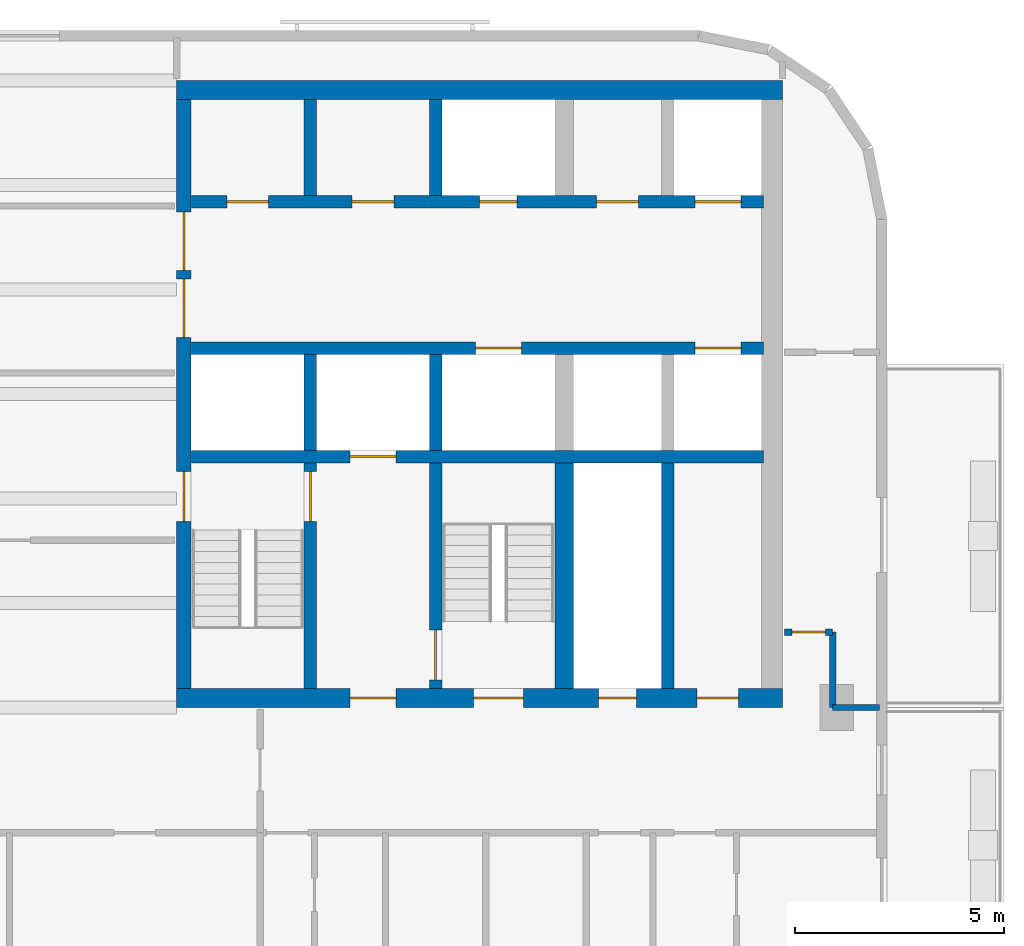
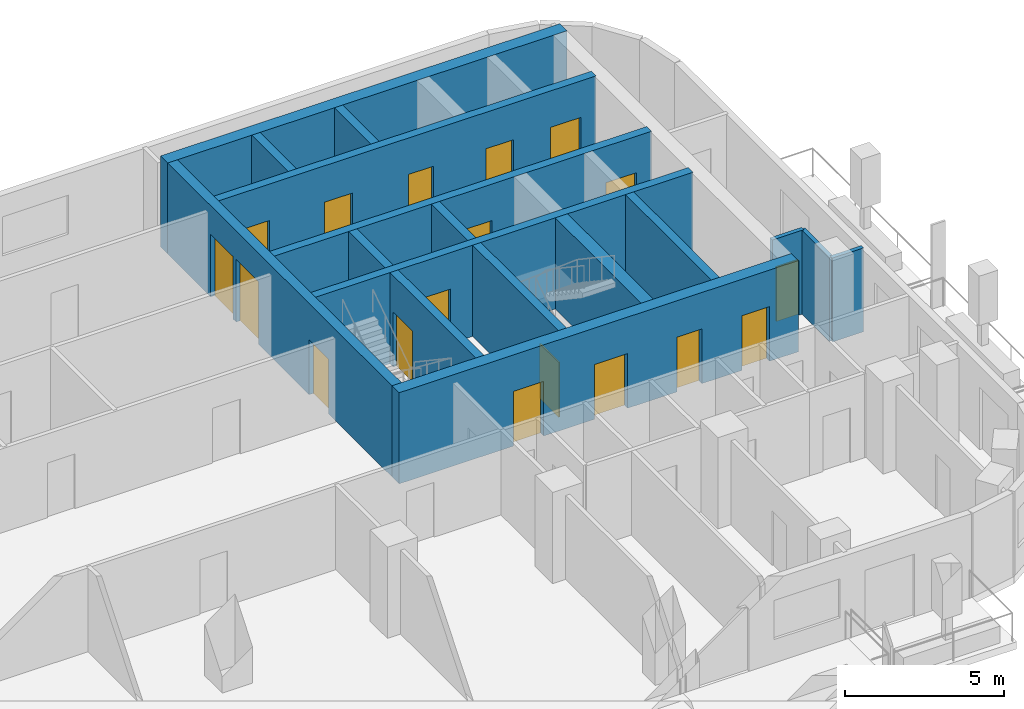
# One storey, part 6 of 11: 18 doors, 17 walls, 18 openings.
"""IFC4 building model written with IfcOpenShell, lengths in metres."""

from ifc_helpers import new_model, si_unit, direction, frame, frame_2d, origin, place, context, subcontext, project, spatial, rectangle, extrude, material, layer, layer_set, type_object, element, fill, save


model = new_model("IFC4")

# Units and contexts
model_context = context("Model", 3, precision=1e-05, world=origin(), true_north=direction((0.0, 1.0)))
body_context = subcontext(model_context, "Body", "Model", "MODEL_VIEW")
ifc_project = project(units=[si_unit("LENGTHUNIT", "METRE"), si_unit("AREAUNIT", "SQUARE_METRE"), si_unit("VOLUMEUNIT", "CUBIC_METRE"), si_unit("PLANEANGLEUNIT", "RADIAN"), si_unit("MASSUNIT", "GRAM", prefix="KILO")], contexts=[model_context])

# Site, building, storey
site_placement = place(None, origin())
site = spatial("IfcSite", under=ifc_project, at=site_placement, CompositionType="ELEMENT")
building_placement = place(site_placement, origin())
building = spatial("IfcBuilding", under=site, at=building_placement, Name="Torana Hotel and Residences", CompositionType="ELEMENT")
storey_placement = place(building_placement, frame((0.0, 0.0, 229.10009765625)))
storey = spatial("IfcBuildingStorey", under=building, at=storey_placement, Name="L60", CompositionType="ELEMENT", Elevation=229.10009765625)

# Wall, openings, doors
ifc_material_1 = material(Name="Concrete C70/85", Category="concrete")
ifc_layer_1 = layer(ifc_material_1, 0.300048828125)
ifc_layer_set_1 = layer_set([ifc_layer_1], Name="CORE WALL 300 C70/85")
wall_type_1 = type_object("IfcWallType", Name="CORE WALL 300 C70/85", PredefinedType="SHEAR", material=ifc_layer_set_1)
wall_1_placement = place(storey_placement, frame((10.35009765625, -2.89990234375, 0.0), z_axis=(0.0, 0.0, 1.0), x_axis=(1.0, 0.0, 0.0)))
wall_1 = element("IfcWall", 1, at=wall_1_placement, inside=storey, type_object=wall_type_1, Name="Core wall E row-N", PredefinedType="SHEAR", context=body_context, shape_type="SweptSolid", body=[
    extrude(rectangle(XDim=13.699951171875, YDim=0.300048828125, at=frame_2d((6.85009765625, 0.0))), origin(), (0.0, 0.0, 1.0), 3.5),
])
opening_1_placement = place(wall_1_placement, frame((12.050048828125, 0.0, 0.0)))
opening_1 = element("IfcOpeningElement", 2, at=opening_1_placement, cuts=wall_1, Name="Opening LD", PredefinedType="OPENING", context=body_context, shape_type="SweptSolid", body=[
    extrude(rectangle(XDim=1.10009765625, YDim=2.10009765625, at=frame_2d((0.550048828125, 1.050048828125))), frame((0.0, 0.159912109375, 0.0), z_axis=(0.0, -1.0, 0.0), x_axis=(1.0, 0.0, 0.0)), (0.0, 0.0, 1.0), 0.320068359375),
])
opening_2_placement = place(wall_1_placement, frame((6.89990234375, 0.0, 0.0)))
opening_2 = element("IfcOpeningElement", 3, at=opening_2_placement, cuts=wall_1, Name="Opening L60-21", PredefinedType="OPENING", context=body_context, shape_type="SweptSolid", body=[
    extrude(rectangle(XDim=0.89990234375, YDim=2.10009765625, at=frame_2d((0.449951171875, 1.050048828125))), frame((0.0, 0.159912109375, 0.0), z_axis=(0.0, -1.0, 0.0), x_axis=(1.0, 0.0, 0.0)), (0.0, 0.0, 1.0), 0.320068359375),
])
opening_3_placement = place(wall_1_placement, frame((0.85009765625, 0.0, 0.0)))
opening_3 = element("IfcOpeningElement", 4, at=opening_3_placement, cuts=wall_1, Name="Opening L60-22", PredefinedType="OPENING", context=body_context, shape_type="SweptSolid", body=[
    extrude(rectangle(XDim=1.0, YDim=2.10009765625, at=frame_2d((0.5, 1.050048828125))), frame((0.0, 0.159912109375, 0.0), z_axis=(0.0, -1.0, 0.0), x_axis=(1.0, 0.0, 0.0)), (0.0, 0.0, 1.0), 0.320068359375),
])
opening_4_placement = place(wall_1_placement, frame((3.85009765625, 0.0, 0.0)))
opening_4 = element("IfcOpeningElement", 5, at=opening_4_placement, cuts=wall_1, Name="Opening L60-23", PredefinedType="OPENING", context=body_context, shape_type="SweptSolid", body=[
    extrude(rectangle(XDim=1.0, YDim=2.10009765625, at=frame_2d((0.5, 1.050048828125))), frame((0.0, 0.159912109375, 0.0), z_axis=(0.0, -1.0, 0.0), x_axis=(1.0, 0.0, 0.0)), (0.0, 0.0, 1.0), 0.320068359375),
])
opening_5_placement = place(wall_1_placement, frame((9.699951171875, 0.0, 0.0)))
opening_5 = element("IfcOpeningElement", 6, at=opening_5_placement, cuts=wall_1, Name="Opening L60-24", PredefinedType="OPENING", context=body_context, shape_type="SweptSolid", body=[
    extrude(rectangle(XDim=1.0, YDim=2.10009765625, at=frame_2d((0.5, 1.050048828125))), frame((0.0, 0.159912109375, 0.0), z_axis=(0.0, -1.0, 0.0), x_axis=(1.0, 0.0, 0.0)), (0.0, 0.0, 1.0), 0.320068359375),
])
ifc_material_2 = material(Name="Steel S235", Category="steel")
door_type_1 = type_object("IfcDoorType", Name="CORE ROOM FIRE DOOR D14 1000x2100", OperationType="SINGLE_SWING_LEFT", PredefinedType="DOOR", material=ifc_material_2)
door_1_placement = place(opening_3_placement, origin())
door_1 = element("IfcDoor", 7, at=door_1_placement, inside=storey, type_object=door_type_1, Name="N0 door L60", OperationType="SINGLE_SWING_RIGHT", OverallHeight=2.10009765625, OverallWidth=1.0, PredefinedType="DOOR", context=body_context, shape_type="SweptSolid", body=[
    extrude(rectangle(XDim=1.0, YDim=2.10009765625, at=frame_2d((0.5, 1.050048828125))), frame((0.0, 0.02490234375, 0.0), z_axis=(0.0, -1.0, 0.0), x_axis=(1.0, 0.0, 0.0)), (0.0, 0.0, 1.0), 0.050048828125),
])
fill(opening_3, door_1)
door_2_placement = place(opening_4_placement, origin())
door_2 = element("IfcDoor", 8, at=door_2_placement, inside=storey, type_object=door_type_1, Name="N1 door L60", OperationType="SINGLE_SWING_RIGHT", OverallHeight=2.10009765625, OverallWidth=1.0, PredefinedType="DOOR", context=body_context, shape_type="SweptSolid", body=[
    extrude(rectangle(XDim=1.0, YDim=2.10009765625, at=frame_2d((0.5, 1.050048828125))), frame((0.0, 0.02490234375, 0.0), z_axis=(0.0, -1.0, 0.0), x_axis=(1.0, 0.0, 0.0)), (0.0, 0.0, 1.0), 0.050048828125),
])
fill(opening_4, door_2)
door_3_placement = place(opening_5_placement, origin())
door_3 = element("IfcDoor", 9, at=door_3_placement, inside=storey, type_object=door_type_1, Name="Freed-S2 door L60", OperationType="SINGLE_SWING_RIGHT", OverallHeight=2.10009765625, OverallWidth=1.0, PredefinedType="DOOR", context=body_context, shape_type="SweptSolid", body=[
    extrude(rectangle(XDim=1.0, YDim=2.10009765625, at=frame_2d((0.5, 1.050048828125))), frame((0.0, 0.02490234375, 0.0), z_axis=(0.0, -1.0, 0.0), x_axis=(1.0, 0.0, 0.0)), (0.0, 0.0, 1.0), 0.050048828125),
])
fill(opening_5, door_3)
ifc_material_3 = material(Name="Stainless steel 316", Category="steel")
door_type_2 = type_object("IfcDoorType", Name="LIFT LANDING DOOR LD 1100x2100", OperationType="DOUBLE_DOOR_SLIDING", PredefinedType="USERDEFINED", material=ifc_material_3)
door_4_placement = place(opening_1_placement, origin())
door_4 = element("IfcDoor", 10, at=door_4_placement, inside=storey, type_object=door_type_2, Name="Lift landing door M3 L60", ObjectType="LIFT LANDING DOOR", OperationType="DOUBLE_DOOR_SLIDING", OverallHeight=2.10009765625, OverallWidth=1.10009765625, PredefinedType="USERDEFINED", context=body_context, shape_type="SweptSolid", body=[
    extrude(rectangle(XDim=1.10009765625, YDim=2.10009765625, at=frame_2d((0.550048828125, 1.050048828125))), frame((0.0, 0.02490234375, 0.0), z_axis=(0.0, -1.0, 0.0), x_axis=(1.0, 0.0, 0.0)), (0.0, 0.0, 1.0), 0.050048828125),
])
fill(opening_1, door_4)
ifc_material_4 = material(Name="Steel S235", Category="steel")
door_type_3 = type_object("IfcDoorType", Name="RISER ACCESS DOOR D5 900x2100", OperationType="SINGLE_SWING_LEFT", PredefinedType="DOOR", material=ifc_material_4)
door_5_placement = place(opening_2_placement, origin())
door_5 = element("IfcDoor", 11, at=door_5_placement, inside=storey, type_object=door_type_3, Name="N2 door L60", OperationType="SINGLE_SWING_RIGHT", OverallHeight=2.10009765625, OverallWidth=0.89990234375, PredefinedType="DOOR", context=body_context, shape_type="SweptSolid", body=[
    extrude(rectangle(XDim=0.89990234375, YDim=2.10009765625, at=frame_2d((0.449951171875, 1.050048828125))), frame((0.0, 0.02490234375, 0.0), z_axis=(0.0, -1.0, 0.0), x_axis=(1.0, 0.0, 0.0)), (0.0, 0.0, 1.0), 0.050048828125),
])
fill(opening_2, door_5)

wall_2_placement = place(storey_placement, frame((10.35009765625, -6.39990234375, 0.0), z_axis=(0.0, 0.0, 1.0), x_axis=(1.0, 0.0, 0.0)))
wall_2 = element("IfcWall", 12, at=wall_2_placement, inside=storey, type_object=wall_type_1, Name="Core wall E row-S", PredefinedType="SHEAR", context=body_context, shape_type="SweptSolid", body=[
    extrude(rectangle(XDim=13.699951171875, YDim=0.300048828125, at=frame_2d((6.85009765625, 0.0))), origin(), (0.0, 0.0, 1.0), 3.5),
])
opening_6_placement = place(wall_2_placement, frame((12.050048828125, 0.0, 0.0)))
opening_6 = element("IfcOpeningElement", 13, at=opening_6_placement, cuts=wall_2, Name="Opening LD", PredefinedType="OPENING", context=body_context, shape_type="SweptSolid", body=[
    extrude(rectangle(XDim=1.10009765625, YDim=2.10009765625, at=frame_2d((0.550048828125, 1.050048828125))), frame((0.0, 0.159912109375, 0.0), z_axis=(0.0, -1.0, 0.0), x_axis=(1.0, 0.0, 0.0)), (0.0, 0.0, 1.0), 0.320068359375),
])
opening_7_placement = place(wall_2_placement, frame((6.800048828125, 0.0, 0.0)))
opening_7 = element("IfcOpeningElement", 14, at=opening_7_placement, cuts=wall_2, Name="Opening LD", PredefinedType="OPENING", context=body_context, shape_type="SweptSolid", body=[
    extrude(rectangle(XDim=1.10009765625, YDim=2.10009765625, at=frame_2d((0.550048828125, 1.050048828125))), frame((0.0, 0.159912109375, 0.0), z_axis=(0.0, -1.0, 0.0), x_axis=(1.0, 0.0, 0.0)), (0.0, 0.0, 1.0), 0.320068359375),
])
door_6_placement = place(opening_6_placement, origin())
door_6 = element("IfcDoor", 15, at=door_6_placement, inside=storey, type_object=door_type_2, Name="Lift landing door M4 L60", ObjectType="LIFT LANDING DOOR", OperationType="DOUBLE_DOOR_SLIDING", OverallHeight=2.10009765625, OverallWidth=1.10009765625, PredefinedType="USERDEFINED", context=body_context, shape_type="SweptSolid", body=[
    extrude(rectangle(XDim=1.10009765625, YDim=2.10009765625, at=frame_2d((0.550048828125, 1.050048828125))), frame((0.0, 0.02490234375, 0.0), z_axis=(0.0, -1.0, 0.0), x_axis=(1.0, 0.0, 0.0)), (0.0, 0.0, 1.0), 0.050048828125),
])
fill(opening_6, door_6)
door_7_placement = place(opening_7_placement, origin())
door_7 = element("IfcDoor", 16, at=door_7_placement, inside=storey, type_object=door_type_2, Name="Lift landing door SV2 L60", ObjectType="LIFT LANDING DOOR", OperationType="DOUBLE_DOOR_SLIDING", OverallHeight=2.10009765625, OverallWidth=1.10009765625, PredefinedType="USERDEFINED", context=body_context, shape_type="SweptSolid", body=[
    extrude(rectangle(XDim=1.10009765625, YDim=2.10009765625, at=frame_2d((0.550048828125, 1.050048828125))), frame((0.0, 0.02490234375, 0.0), z_axis=(0.0, -1.0, 0.0), x_axis=(1.0, 0.0, 0.0)), (0.0, 0.0, 1.0), 0.050048828125),
])
fill(opening_7, door_7)

# Wall, opening, door
wall_3_placement = place(storey_placement, frame((10.35009765625, -9.0, 0.0), z_axis=(0.0, 0.0, 1.0), x_axis=(1.0, 0.0, 0.0)))
wall_3 = element("IfcWall", 17, at=wall_3_placement, inside=storey, type_object=wall_type_1, Name="Core wall E band", PredefinedType="SHEAR", context=body_context, shape_type="SweptSolid", body=[
    extrude(rectangle(XDim=13.699951171875, YDim=0.300048828125, at=frame_2d((6.85009765625, 0.0))), origin(), (0.0, 0.0, 1.0), 3.5),
])
opening_8_placement = place(wall_3_placement, frame((3.800048828125, 0.0, 0.0)))
opening_8 = element("IfcOpeningElement", 18, at=opening_8_placement, cuts=wall_3, Name="Opening LD", PredefinedType="OPENING", context=body_context, shape_type="SweptSolid", body=[
    extrude(rectangle(XDim=1.10009765625, YDim=2.10009765625, at=frame_2d((0.550048828125, 1.050048828125))), frame((0.0, 0.159912109375, 0.0), z_axis=(0.0, -1.0, 0.0), x_axis=(1.0, 0.0, 0.0)), (0.0, 0.0, 1.0), 0.320068359375),
])
door_8_placement = place(opening_8_placement, origin())
door_8 = element("IfcDoor", 19, at=door_8_placement, inside=storey, type_object=door_type_2, Name="Lift landing door FF2 L60", ObjectType="LIFT LANDING DOOR", OperationType="DOUBLE_DOOR_SLIDING", OverallHeight=2.10009765625, OverallWidth=1.10009765625, PredefinedType="USERDEFINED", context=body_context, shape_type="SweptSolid", body=[
    extrude(rectangle(XDim=1.10009765625, YDim=2.10009765625, at=frame_2d((0.550048828125, 1.050048828125))), frame((0.0, 0.02490234375, 0.0), z_axis=(0.0, -1.0, 0.0), x_axis=(1.0, 0.0, 0.0)), (0.0, 0.0, 1.0), 0.050048828125),
])
fill(opening_8, door_8)

# Walls
for number, where, z_axis, x_axis, name in (
    (20, (13.199951171875, -2.75, 0.0), (0.0, 0.0, 1.0), (0.0, 1.0, 0.0), "Core wall E x3.05-N"),
    (21, (13.199951171875, -8.85009765625, 0.0), (0.0, 0.0, 1.0), (0.0, 1.0, 0.0), "Core wall E x3.05-S"),
):
    element("IfcWall", number, at=place(storey_placement, frame(where, z_axis=z_axis, x_axis=x_axis)), inside=storey, type_object=wall_type_1, Name=name, PredefinedType="SHEAR", context=body_context, shape_type="SweptSolid", body=[
        extrude(rectangle(XDim=2.300048828125, YDim=0.300048828125, at=frame_2d((1.14990234375, 0.0))), origin(), (0.0, 0.0, 1.0), 3.5),
    ])

# Wall, opening, door
wall_4_placement = place(storey_placement, frame((13.199951171875, -14.550048828125, 0.0), z_axis=(0.0, 0.0, 1.0), x_axis=(0.0, 1.0, 0.0)))
wall_4 = element("IfcWall", 22, at=wall_4_placement, inside=storey, type_object=wall_type_1, Name="Core wall E x3.05-band", PredefinedType="SHEAR", context=body_context, shape_type="SweptSolid", body=[
    extrude(rectangle(XDim=5.400146484375, YDim=0.300048828125, at=frame_2d((2.7001953125, 0.0))), origin(), (0.0, 0.0, 1.0), 3.5),
])
opening_9_placement = place(wall_4_placement, frame((4.0, 0.0, 0.0)))
opening_9 = element("IfcOpeningElement", 23, at=opening_9_placement, cuts=wall_4, Name="Opening L60-25", PredefinedType="OPENING", context=body_context, shape_type="SweptSolid", body=[
    extrude(rectangle(XDim=1.199951171875, YDim=2.10009765625, at=frame_2d((0.60009765625, 1.050048828125))), frame((0.0, 0.159912109375, 0.0), z_axis=(0.0, -1.0, 0.0), x_axis=(1.0, 0.0, 0.0)), (0.0, 0.0, 1.0), 0.320068359375),
])
ifc_material_5 = material(Name="Steel S235", Category="steel")
door_type_4 = type_object("IfcDoorType", Name="STAIR FIRE DOOR D3 1200x2100", OperationType="SINGLE_SWING_LEFT", PredefinedType="DOOR", material=ifc_material_5)
door_9_placement = place(opening_9_placement, origin())
door_9 = element("IfcDoor", 24, at=door_9_placement, inside=storey, type_object=door_type_4, Name="Stair-A-lobby door L60", OperationType="SINGLE_SWING_LEFT", OverallHeight=2.10009765625, OverallWidth=1.199951171875, PredefinedType="DOOR", context=body_context, shape_type="SweptSolid", body=[
    extrude(rectangle(XDim=1.199951171875, YDim=2.10009765625, at=frame_2d((0.60009765625, 1.050048828125))), frame((0.0, 0.02490234375, 0.0), z_axis=(0.0, -1.0, 0.0), x_axis=(1.0, 0.0, 0.0)), (0.0, 0.0, 1.0), 0.050048828125),
])
fill(opening_9, door_9)

# Walls
for number, where, z_axis, x_axis, name in (
    (25, (16.199951171875, -2.75, 0.0), (0.0, 0.0, 1.0), (0.0, 1.0, 0.0), "Core wall E x6.05-N"),
    (26, (16.199951171875, -8.85009765625, 0.0), (0.0, 0.0, 1.0), (0.0, 1.0, 0.0), "Core wall E x6.05-S"),
):
    element("IfcWall", number, at=place(storey_placement, frame(where, z_axis=z_axis, x_axis=x_axis)), inside=storey, type_object=wall_type_1, Name=name, PredefinedType="SHEAR", context=body_context, shape_type="SweptSolid", body=[
        extrude(rectangle(XDim=2.300048828125, YDim=0.300048828125, at=frame_2d((1.14990234375, 0.0))), origin(), (0.0, 0.0, 1.0), 3.5),
    ])

# Wall, opening, door
wall_5_placement = place(storey_placement, frame((16.199951171875, -14.550048828125, 0.0), z_axis=(0.0, 0.0, 1.0), x_axis=(0.0, 1.0, 0.0)))
wall_5 = element("IfcWall", 27, at=wall_5_placement, inside=storey, type_object=wall_type_1, Name="Core wall E x6.05-band", PredefinedType="SHEAR", context=body_context, shape_type="SweptSolid", body=[
    extrude(rectangle(XDim=5.400146484375, YDim=0.300048828125, at=frame_2d((2.7001953125, 0.0))), origin(), (0.0, 0.0, 1.0), 3.5),
])
opening_10_placement = place(wall_5_placement, frame((0.199951171875, 0.0, 0.0)))
opening_10 = element("IfcOpeningElement", 28, at=opening_10_placement, cuts=wall_5, Name="Opening L60-26", PredefinedType="OPENING", context=body_context, shape_type="SweptSolid", body=[
    extrude(rectangle(XDim=1.199951171875, YDim=2.10009765625, at=frame_2d((0.60009765625, 1.050048828125))), frame((0.0, 0.159912109375, 0.0), z_axis=(0.0, -1.0, 0.0), x_axis=(1.0, 0.0, 0.0)), (0.0, 0.0, 1.0), 0.320068359375),
])
door_10_placement = place(opening_10_placement, frame((0.60009765625, 0.0, 0.0), z_axis=(0.0, 0.0, 1.0), x_axis=(-1.0, 0.0, 0.0)))
door_10 = element("IfcDoor", 29, at=door_10_placement, inside=storey, type_object=door_type_4, Name="Stair-B-lobby door L60", OperationType="SINGLE_SWING_LEFT", OverallHeight=2.10009765625, OverallWidth=1.199951171875, PredefinedType="DOOR", context=body_context, shape_type="SweptSolid", body=[
    extrude(rectangle(XDim=1.199951171875, YDim=2.10009765625, at=frame_2d((0.0, 1.050048828125))), frame((0.0, -0.02490234375, 0.0), z_axis=(0.0, 1.0, 0.0), x_axis=(-1.0, 0.0, 0.0)), (0.0, 0.0, 1.0), 0.050048828125),
])
fill(opening_10, door_10)

# Wall
wall_6_placement = place(storey_placement, frame((21.75, -14.550048828125, 0.0), z_axis=(0.0, 0.0, 1.0), x_axis=(0.0, 1.0, 0.0)))
element("IfcWall", 30, at=wall_6_placement, inside=storey, type_object=wall_type_1, Name="Core wall E mm-band", PredefinedType="SHEAR", context=body_context, shape_type="SweptSolid", body=[
    extrude(rectangle(XDim=5.400146484375, YDim=0.300048828125, at=frame_2d((2.7001953125, 0.0))), origin(), (0.0, 0.0, 1.0), 3.5),
])

# Wall, openings, doors
ifc_material_6 = material(Name="Concrete C70/85", Category="concrete")
ifc_layer_2 = layer(ifc_material_6, 0.35009765625)
ifc_layer_set_2 = layer_set([ifc_layer_2], Name="CORE WALL 350 C70/85")
wall_type_2 = type_object("IfcWallType", Name="CORE WALL 350 C70/85", PredefinedType="SHEAR", material=ifc_layer_set_2)
wall_7_placement = place(storey_placement, frame((10.175048828125, -14.550048828125, 0.0), z_axis=(0.0, 0.0, 1.0), x_axis=(0.0, 1.0, 0.0)))
wall_7 = element("IfcWall", 31, at=wall_7_placement, inside=storey, type_object=wall_type_2, Name="Core wall E arch", PredefinedType="SHEAR", context=body_context, shape_type="SweptSolid", body=[
    extrude(rectangle(XDim=14.10009765625, YDim=0.35009765625, at=frame_2d((7.050048828125, 0.0))), origin(), (0.0, 0.0, 1.0), 3.5),
])
opening_11_placement = place(wall_7_placement, frame((8.39990234375, 0.0, 0.0)))
opening_11 = element("IfcOpeningElement", 32, at=opening_11_placement, cuts=wall_7, Name="Opening L60-14", PredefinedType="OPENING", context=body_context, shape_type="SweptSolid", body=[
    extrude(rectangle(XDim=1.39990234375, YDim=2.39990234375, at=frame_2d((0.699951171875, 1.199951171875))), frame((0.0, 0.18505859375, 0.0), z_axis=(0.0, -1.0, 0.0), x_axis=(1.0, 0.0, 0.0)), (0.0, 0.0, 1.0), 0.3701171875),
])
opening_12_placement = place(wall_7_placement, frame((10.0, 0.0, 0.0)))
opening_12 = element("IfcOpeningElement", 33, at=opening_12_placement, cuts=wall_7, Name="Opening L60-15", PredefinedType="OPENING", context=body_context, shape_type="SweptSolid", body=[
    extrude(rectangle(XDim=1.39990234375, YDim=2.39990234375, at=frame_2d((0.699951171875, 1.199951171875))), frame((0.0, 0.18505859375, 0.0), z_axis=(0.0, -1.0, 0.0), x_axis=(1.0, 0.0, 0.0)), (0.0, 0.0, 1.0), 0.3701171875),
])
opening_13_placement = place(wall_7_placement, frame((4.0, 0.0, 0.0)))
opening_13 = element("IfcOpeningElement", 34, at=opening_13_placement, cuts=wall_7, Name="Opening L60-16", PredefinedType="OPENING", context=body_context, shape_type="SweptSolid", body=[
    extrude(rectangle(XDim=1.199951171875, YDim=2.10009765625, at=frame_2d((0.60009765625, 1.050048828125))), frame((0.0, 0.18505859375, 0.0), z_axis=(0.0, -1.0, 0.0), x_axis=(1.0, 0.0, 0.0)), (0.0, 0.0, 1.0), 0.3701171875),
])
ifc_material_7 = material(Name="Steel S235", Category="steel")
door_type_5 = type_object("IfcDoorType", Name="LOBBY FIRE DOOR D4 1400x2400", OperationType="DOUBLE_DOOR_SINGLE_SWING", PredefinedType="DOOR", material=ifc_material_7)
door_11_placement = place(opening_11_placement, origin())
door_11 = element("IfcDoor", 35, at=door_11_placement, inside=storey, type_object=door_type_5, Name="Lobby-1 door L60", OperationType="DOUBLE_DOOR_SINGLE_SWING", OverallHeight=2.39990234375, OverallWidth=1.39990234375, PredefinedType="DOOR", context=body_context, shape_type="SweptSolid", body=[
    extrude(rectangle(XDim=1.39990234375, YDim=2.39990234375, at=frame_2d((0.699951171875, 1.199951171875))), frame((0.0, 0.02490234375, 0.0), z_axis=(0.0, -1.0, 0.0), x_axis=(1.0, 0.0, 0.0)), (0.0, 0.0, 1.0), 0.050048828125),
])
fill(opening_11, door_11)
door_12_placement = place(opening_12_placement, origin())
door_12 = element("IfcDoor", 36, at=door_12_placement, inside=storey, type_object=door_type_5, Name="Lobby-2 door L60", OperationType="DOUBLE_DOOR_SINGLE_SWING", OverallHeight=2.39990234375, OverallWidth=1.39990234375, PredefinedType="DOOR", context=body_context, shape_type="SweptSolid", body=[
    extrude(rectangle(XDim=1.39990234375, YDim=2.39990234375, at=frame_2d((0.699951171875, 1.199951171875))), frame((0.0, 0.02490234375, 0.0), z_axis=(0.0, -1.0, 0.0), x_axis=(1.0, 0.0, 0.0)), (0.0, 0.0, 1.0), 0.050048828125),
])
fill(opening_12, door_12)
door_13_placement = place(opening_13_placement, frame((0.60009765625, 0.0, 0.0), z_axis=(0.0, 0.0, 1.0), x_axis=(-1.0, 0.0, 0.0)))
door_13 = element("IfcDoor", 37, at=door_13_placement, inside=storey, type_object=door_type_4, Name="Stair-A door L60", OperationType="SINGLE_SWING_RIGHT", OverallHeight=2.10009765625, OverallWidth=1.199951171875, PredefinedType="DOOR", context=body_context, shape_type="SweptSolid", body=[
    extrude(rectangle(XDim=1.199951171875, YDim=2.10009765625, at=frame_2d((0.0, 1.050048828125))), frame((0.0, -0.02490234375, 0.0), z_axis=(0.0, 1.0, 0.0), x_axis=(-1.0, 0.0, 0.0)), (0.0, 0.0, 1.0), 0.050048828125),
])
fill(opening_13, door_13)

# Wall
ifc_material_8 = material(Name="Concrete C70/85", Category="concrete")
ifc_layer_3 = layer(ifc_material_8, 0.449951171875)
ifc_layer_set_3 = layer_set([ifc_layer_3], Name="CORE WALL 450 C70/85")
wall_type_3 = type_object("IfcWallType", Name="CORE WALL 450 C70/85", PredefinedType="SHEAR", material=ifc_layer_set_3)
wall_8_placement = place(storey_placement, frame((10.0, -0.22509765625, 0.0), z_axis=(0.0, 0.0, 1.0), x_axis=(1.0, 0.0, 0.0)))
element("IfcWall", 38, at=wall_8_placement, inside=storey, type_object=wall_type_3, Name="Core wall E rear", PredefinedType="SHEAR", context=body_context, shape_type="SweptSolid", body=[
    extrude(rectangle(XDim=14.5, YDim=0.449951171875, at=frame_2d((7.25, 0.0))), origin(), (0.0, 0.0, 1.0), 3.5),
])

# Wall, openings, doors
wall_9_placement = place(storey_placement, frame((10.0, -14.77490234375, 0.0), z_axis=(0.0, 0.0, 1.0), x_axis=(1.0, 0.0, 0.0)))
wall_9 = element("IfcWall", 39, at=wall_9_placement, inside=storey, type_object=wall_type_3, Name="Core wall E front", PredefinedType="SHEAR", context=body_context, shape_type="SweptSolid", body=[
    extrude(rectangle(XDim=14.5, YDim=0.449951171875, at=frame_2d((7.25, 0.0))), origin(), (0.0, 0.0, 1.0), 3.5),
])
opening_14_placement = place(wall_9_placement, frame((7.10009765625, 0.0, 0.0)))
opening_14 = element("IfcOpeningElement", 40, at=opening_14_placement, cuts=wall_9, Name="Opening L60-17", PredefinedType="OPENING", context=body_context, shape_type="SweptSolid", body=[
    extrude(rectangle(XDim=1.199951171875, YDim=2.10009765625, at=frame_2d((0.60009765625, 1.050048828125))), frame((0.0, 0.23486328125, 0.0), z_axis=(0.0, -1.0, 0.0), x_axis=(1.0, 0.0, 0.0)), (0.0, 0.0, 1.0), 0.469970703125),
])
opening_15_placement = place(wall_9_placement, frame((4.14990234375, 0.0, 0.0)))
opening_15 = element("IfcOpeningElement", 41, at=opening_15_placement, cuts=wall_9, Name="Opening L60-18", PredefinedType="OPENING", context=body_context, shape_type="SweptSolid", body=[
    extrude(rectangle(XDim=1.10009765625, YDim=2.10009765625, at=frame_2d((0.550048828125, 1.050048828125))), frame((0.0, 0.23486328125, 0.0), z_axis=(0.0, -1.0, 0.0), x_axis=(1.0, 0.0, 0.0)), (0.0, 0.0, 1.0), 0.469970703125),
])
opening_16_placement = place(wall_9_placement, frame((10.10009765625, 0.0, 0.0)))
opening_16 = element("IfcOpeningElement", 42, at=opening_16_placement, cuts=wall_9, Name="Opening L60-19", PredefinedType="OPENING", context=body_context, shape_type="SweptSolid", body=[
    extrude(rectangle(XDim=0.89990234375, YDim=2.10009765625, at=frame_2d((0.449951171875, 1.050048828125))), frame((0.0, 0.23486328125, 0.0), z_axis=(0.0, -1.0, 0.0), x_axis=(1.0, 0.0, 0.0)), (0.0, 0.0, 1.0), 0.469970703125),
])
opening_17_placement = place(wall_9_placement, frame((12.449951171875, 0.0, 0.0)))
opening_17 = element("IfcOpeningElement", 43, at=opening_17_placement, cuts=wall_9, Name="Opening L60-20", PredefinedType="OPENING", context=body_context, shape_type="SweptSolid", body=[
    extrude(rectangle(XDim=1.0, YDim=2.10009765625, at=frame_2d((0.5, 1.050048828125))), frame((0.0, 0.23486328125, 0.0), z_axis=(0.0, -1.0, 0.0), x_axis=(1.0, 0.0, 0.0)), (0.0, 0.0, 1.0), 0.469970703125),
])
door_14_placement = place(opening_17_placement, origin())
door_14 = element("IfcDoor", 44, at=door_14_placement, inside=storey, type_object=door_type_1, Name="M-Room door L60", OperationType="SINGLE_SWING_RIGHT", OverallHeight=2.10009765625, OverallWidth=1.0, PredefinedType="DOOR", context=body_context, shape_type="SweptSolid", body=[
    extrude(rectangle(XDim=1.0, YDim=2.10009765625, at=frame_2d((0.5, 1.050048828125))), frame((0.0, 0.02490234375, 0.0), z_axis=(0.0, -1.0, 0.0), x_axis=(1.0, 0.0, 0.0)), (0.0, 0.0, 1.0), 0.050048828125),
])
fill(opening_17, door_14)
ifc_material_9 = material(Name="Steel S235", Category="steel")
door_type_6 = type_object("IfcDoorType", Name="FIRE-FIGHTING LOBBY DOOR D8 1100x2100", OperationType="SINGLE_SWING_LEFT", PredefinedType="DOOR", material=ifc_material_9)
door_15_placement = place(opening_15_placement, origin())
door_15 = element("IfcDoor", 45, at=door_15_placement, inside=storey, type_object=door_type_6, Name="FF-lobby door L60", OperationType="SINGLE_SWING_RIGHT", OverallHeight=2.10009765625, OverallWidth=1.10009765625, PredefinedType="DOOR", context=body_context, shape_type="SweptSolid", body=[
    extrude(rectangle(XDim=1.10009765625, YDim=2.10009765625, at=frame_2d((0.550048828125, 1.050048828125))), frame((0.0, 0.02490234375, 0.0), z_axis=(0.0, -1.0, 0.0), x_axis=(1.0, 0.0, 0.0)), (0.0, 0.0, 1.0), 0.050048828125),
])
fill(opening_15, door_15)
door_16_placement = place(opening_16_placement, origin())
door_16 = element("IfcDoor", 46, at=door_16_placement, inside=storey, type_object=door_type_3, Name="M-Riser door L60", OperationType="SINGLE_SWING_RIGHT", OverallHeight=2.10009765625, OverallWidth=0.89990234375, PredefinedType="DOOR", context=body_context, shape_type="SweptSolid", body=[
    extrude(rectangle(XDim=0.89990234375, YDim=2.10009765625, at=frame_2d((0.449951171875, 1.050048828125))), frame((0.0, 0.02490234375, 0.0), z_axis=(0.0, -1.0, 0.0), x_axis=(1.0, 0.0, 0.0)), (0.0, 0.0, 1.0), 0.050048828125),
])
fill(opening_16, door_16)
door_17_placement = place(opening_14_placement, origin())
door_17 = element("IfcDoor", 47, at=door_17_placement, inside=storey, type_object=door_type_4, Name="Stair-B door L60", OperationType="SINGLE_SWING_RIGHT", OverallHeight=2.10009765625, OverallWidth=1.199951171875, PredefinedType="DOOR", context=body_context, shape_type="SweptSolid", body=[
    extrude(rectangle(XDim=1.199951171875, YDim=2.10009765625, at=frame_2d((0.60009765625, 1.050048828125))), frame((0.0, 0.02490234375, 0.0), z_axis=(0.0, -1.0, 0.0), x_axis=(1.0, 0.0, 0.0)), (0.0, 0.0, 1.0), 0.050048828125),
])
fill(opening_14, door_17)

# Walls
wall_10_placement = place(storey_placement, frame((19.27490234375, -14.550048828125, 0.0), z_axis=(0.0, 0.0, 1.0), x_axis=(0.0, 1.0, 0.0)))
element("IfcWall", 48, at=wall_10_placement, inside=storey, type_object=wall_type_3, Name="Core wall E hm-band", PredefinedType="SHEAR", context=body_context, shape_type="SweptSolid", body=[
    extrude(rectangle(XDim=5.400146484375, YDim=0.449951171875, at=frame_2d((2.7001953125, 0.0))), origin(), (0.0, 0.0, 1.0), 3.5),
])
ifc_material_10 = material(Name="Gypsum plaster")
ifc_layer_4 = layer(ifc_material_10, 0.014892578125, Name="Plaster", Category="finish")
ifc_material_11 = material(Name="Concrete blockwork", Category="masonry")
ifc_layer_5 = layer(ifc_material_11, 0.1201171875, Name="Blockwork", Category="structure")
ifc_layer_6 = layer(ifc_material_10, 0.014892578125, Name="Plaster", Category="finish")
ifc_layer_set_4 = layer_set([ifc_layer_4, ifc_layer_5, ifc_layer_6], Name="FIRE PARTITION 150 BLOCKWORK")
wall_type_4 = type_object("IfcWallType", Name="FIRE PARTITION 150 BLOCKWORK", PredefinedType="PARTITIONING", material=ifc_layer_set_4)
wall_11_placement = place(storey_placement, frame((25.699951171875, -15.0, 0.0), z_axis=(0.0, 0.0, 1.0), x_axis=(0.0, 1.0, 0.0)))
element("IfcWall", 49, at=wall_11_placement, inside=storey, type_object=wall_type_4, Name="Partition L60", PredefinedType="PARTITIONING", context=body_context, shape_type="SweptSolid", body=[
    extrude(rectangle(XDim=1.800048828125, YDim=0.14990234375, at=frame_2d((0.89990234375, 0.0))), origin(), (0.0, 0.0, 1.0), 3.219970703125),
])
wall_12_placement = place(storey_placement, frame((25.699951171875, -15.0, 0.0), z_axis=(0.0, 0.0, 1.0), x_axis=(1.0, 0.0, 0.0)))
element("IfcWall", 50, at=wall_12_placement, inside=storey, type_object=wall_type_4, Name="Partition L60", PredefinedType="PARTITIONING", context=body_context, shape_type="SweptSolid", body=[
    extrude(rectangle(XDim=1.1201171875, YDim=0.14990234375, at=frame_2d((0.56005859375, 0.0))), origin(), (0.0, 0.0, 1.0), 3.219970703125),
])

# Wall, opening, door
wall_13_placement = place(storey_placement, frame((24.550048828125, -13.199951171875, 0.0), z_axis=(0.0, 0.0, 1.0), x_axis=(1.0, 0.0, 0.0)))
wall_13 = element("IfcWall", 51, at=wall_13_placement, inside=storey, type_object=wall_type_4, Name="Partition L60", PredefinedType="PARTITIONING", context=body_context, shape_type="SweptSolid", body=[
    extrude(rectangle(XDim=1.14990234375, YDim=0.14990234375, at=frame_2d((0.574951171875, 0.0))), origin(), (0.0, 0.0, 1.0), 3.219970703125),
])
opening_18_placement = place(wall_13_placement, frame((0.175048828125, 0.0, 0.0)))
opening_18 = element("IfcOpeningElement", 52, at=opening_18_placement, cuts=wall_13, Name="Opening L60-36", PredefinedType="OPENING", context=body_context, shape_type="SweptSolid", body=[
    extrude(rectangle(XDim=0.800048828125, YDim=2.10009765625, at=frame_2d((0.39990234375, 1.050048828125))), frame((0.0, 0.0849609375, 0.0), z_axis=(0.0, -1.0, 0.0), x_axis=(1.0, 0.0, 0.0)), (0.0, 0.0, 1.0), 0.169921875),
])
ifc_material_12 = material(Name="Steel S235", Category="steel")
door_type_7 = type_object("IfcDoorType", Name="STORE FIRE DOOR D16 800x2100", OperationType="SINGLE_SWING_LEFT", PredefinedType="DOOR", material=ifc_material_12)
door_18_placement = place(opening_18_placement, origin())
door_18 = element("IfcDoor", 53, at=door_18_placement, inside=storey, type_object=door_type_7, Name="Door L60", OperationType="SINGLE_SWING_RIGHT", OverallHeight=2.10009765625, OverallWidth=0.800048828125, PredefinedType="DOOR", context=body_context, shape_type="SweptSolid", body=[
    extrude(rectangle(XDim=0.800048828125, YDim=2.10009765625, at=frame_2d((0.39990234375, 1.050048828125))), frame((0.0, 0.02490234375, 0.0), z_axis=(0.0, -1.0, 0.0), x_axis=(1.0, 0.0, 0.0)), (0.0, 0.0, 1.0), 0.050048828125),
])
fill(opening_18, door_18)

save(model, "model.ifc")
